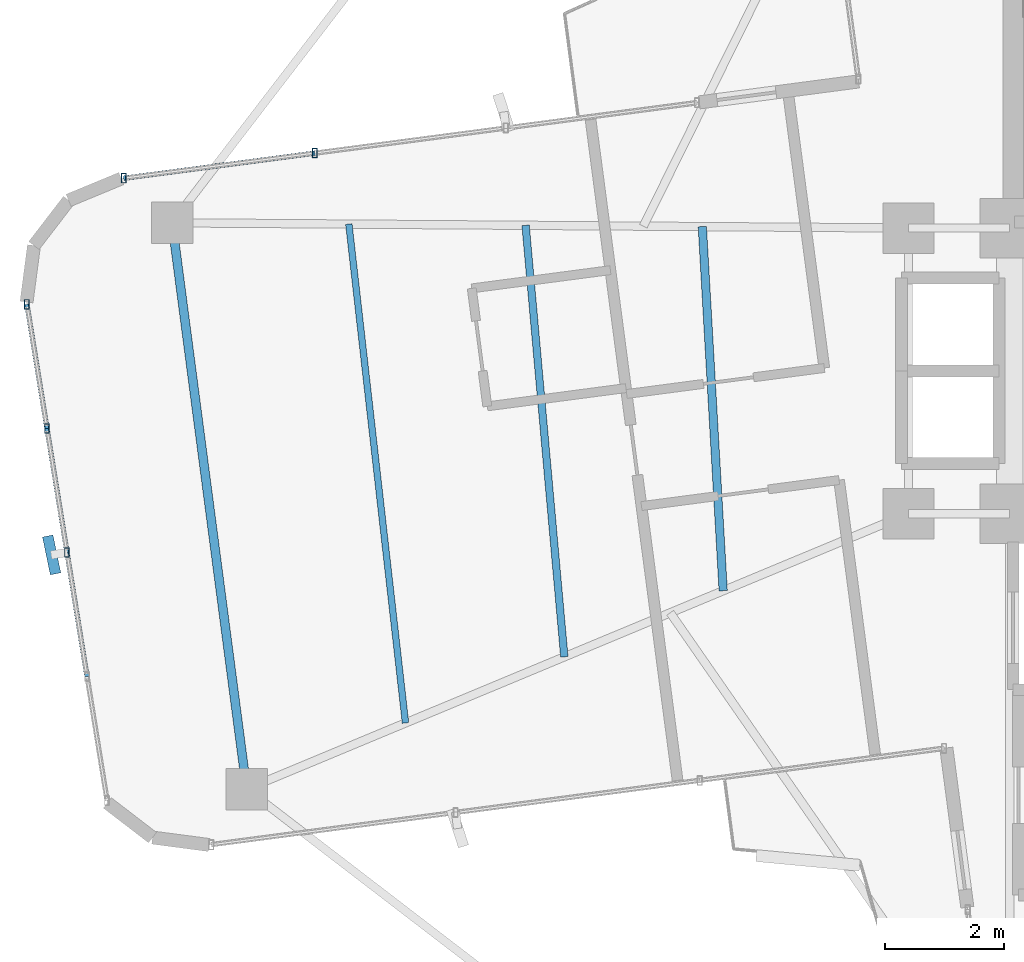
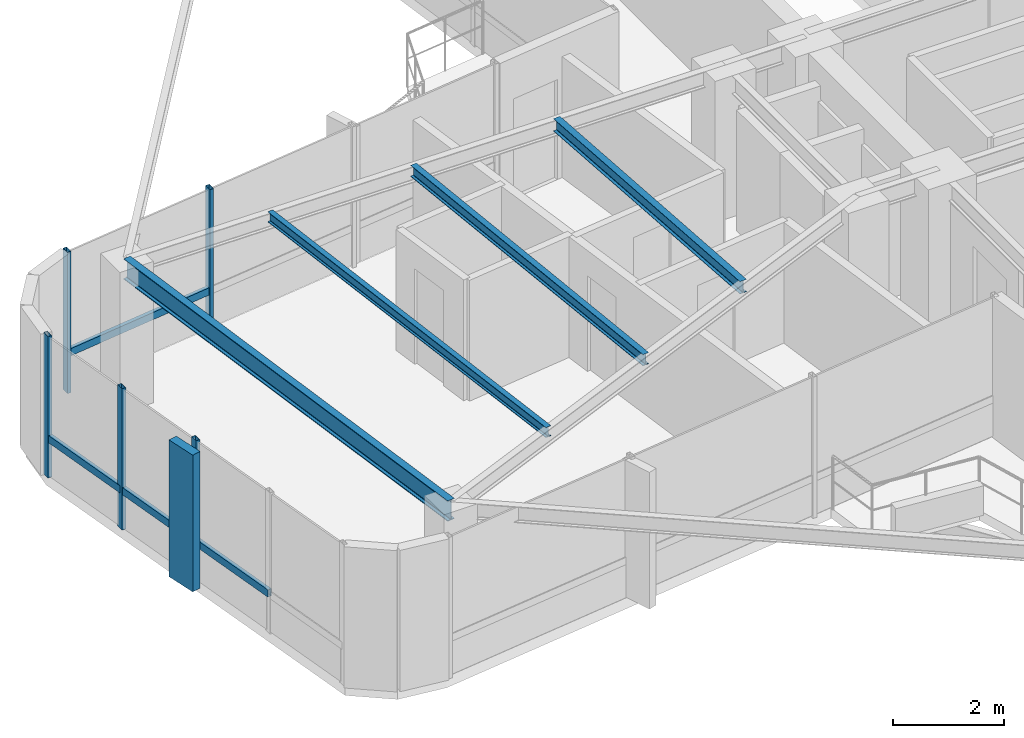
# One storey, part 6 of 21: 10 members, 4 beams, 2 elements without a shape of their own.
"""IFC4 building model written with IfcOpenShell, lengths in metres."""

from ifc_helpers import new_model, si_unit, direction, frame, origin, origin_2d, place, context, subcontext, project, spatial, rectangle, hollow_rectangle, i_section, extrude, source, transform, mapped, material, material_profile, profile_set, type_object, element, aggregate, save


model = new_model("IFC4")

# Units and contexts
model_context = context("Model", 3, precision=1e-05, world=origin(), true_north=direction((0.0, 1.0)))
body_context = subcontext(model_context, "Body", "Model", "MODEL_VIEW")
ifc_project = project(units=[si_unit("LENGTHUNIT", "METRE"), si_unit("AREAUNIT", "SQUARE_METRE"), si_unit("VOLUMEUNIT", "CUBIC_METRE"), si_unit("PLANEANGLEUNIT", "RADIAN"), si_unit("MASSUNIT", "GRAM", prefix="KILO")], contexts=[model_context])

# Site, building, storey
site_placement = place(None, origin())
site = spatial("IfcSite", under=ifc_project, at=site_placement, CompositionType="ELEMENT")
building_placement = place(site_placement, origin())
building = spatial("IfcBuilding", under=site, at=building_placement, Name="Sahyath Konkavel Grand Hotel", CompositionType="ELEMENT")
storey_placement = place(building_placement, frame((0.0, 0.0, 216.550048828125)))
storey = spatial("IfcBuildingStorey", under=building, at=storey_placement, Name="L60", CompositionType="ELEMENT", Elevation=216.550048828125)

# Beams
ifc_material_1 = material(Name="Steel E350", Category="steel")
ifc_material_profile_1 = material_profile(ifc_material_1, i_section(OverallWidth=0.14990234375, OverallDepth=0.449951171875, WebThickness=0.009521484375, FlangeThickness=0.017333984375, FilletRadius=0.014892578125, at=origin_2d()), Name="ISMB 450")
ifc_profile_set_1 = profile_set([ifc_material_profile_1], Name="Steel E350")
beam_type_1 = type_object("IfcBeamType", Name="BM-ISMB450", PredefinedType="BEAM", material=ifc_profile_set_1)
shared_shape_1 = source(origin(), body_context, "Body", "SweptSolid", [
    extrude(i_section(OverallWidth=0.14990234375, OverallDepth=0.449951171875, WebThickness=0.009521484375, FlangeThickness=0.017333984375, FilletRadius=0.014892578125, at=origin_2d()), origin(), (0.0, 0.0, 1.0), 9.599853515625),
])
beam_1_placement = place(storey_placement, frame((-17.877685546875, 2.48779296875, 2.885009765625), z_axis=(0.130539375757, -0.991443125639, 0.0), x_axis=(0.991443125639, 0.130539375757, 0.0)))
element("IfcBeam", 1, at=beam_1_placement, inside=storey, type_object=beam_type_1, Name="L60 Wing Tip Edge Beam W", PredefinedType="BEAM", context=body_context, shape_type="MappedRepresentation", body=[
    mapped(shared_shape_1, transform((0.0, 0.0, 0.0), scale=1.0)),
])
ifc_material_profile_2 = material_profile(ifc_material_1, i_section(OverallWidth=0.139892578125, OverallDepth=0.27490234375, WebThickness=0.00634765625, FlangeThickness=0.0087890625, FilletRadius=0.012939453125, at=origin_2d()), Name="ISLB 275")
ifc_profile_set_2 = profile_set([ifc_material_profile_2], Name="Steel E350")
beam_type_2 = type_object("IfcBeamType", Name="BM-ISLB275", PredefinedType="BEAM", material=ifc_profile_set_2)
shared_shape_2 = source(origin(), body_context, "Body", "SweptSolid", [
    extrude(i_section(OverallWidth=0.139892578125, OverallDepth=0.27490234375, WebThickness=0.00634765625, FlangeThickness=0.0087890625, FilletRadius=0.012939453125, at=origin_2d()), origin(), (0.0, 0.0, 1.0), 6.130859375),
])
beam_2_placement = place(storey_placement, frame((-8.9658203125, 2.424560546875, 2.972412109375), z_axis=(0.057223299361, -0.998361404508, 0.0), x_axis=(0.998361404508, 0.057223299361, 0.0)))
element("IfcBeam", 2, at=beam_2_placement, inside=storey, type_object=beam_type_2, Name="L60 Secondary Floor Beam W-1", PredefinedType="BEAM", context=body_context, shape_type="MappedRepresentation", body=[
    mapped(shared_shape_2, transform((0.0, 0.0, 0.0), scale=1.0)),
])
ifc_material_profile_3 = material_profile(ifc_material_1, i_section(OverallWidth=0.125, OverallDepth=0.25, WebThickness=0.0068359375, FlangeThickness=0.012451171875, FilletRadius=0.012939453125, at=origin_2d()), Name="ISMB 250")
ifc_profile_set_3 = profile_set([ifc_material_profile_3], Name="Steel E350")
beam_type_3 = type_object("IfcBeamType", Name="BM-ISMB250", PredefinedType="BEAM", material=ifc_profile_set_3)
shared_shape_3 = source(origin(), body_context, "Body", "SweptSolid", [
    extrude(i_section(OverallWidth=0.125, OverallDepth=0.25, WebThickness=0.0068359375, FlangeThickness=0.012451171875, FilletRadius=0.012939453125, at=origin_2d()), origin(), (0.0, 0.0, 1.0), 7.28271484375),
])
beam_3_placement = place(storey_placement, frame((-11.936279296875, 2.44580078125, 2.98486328125), z_axis=(0.08944149657, -0.995992077625, 0.0), x_axis=(0.995992077625, 0.08944149657, 0.0)))
element("IfcBeam", 3, at=beam_3_placement, inside=storey, type_object=beam_type_3, Name="L60 Secondary Floor Beam W-2", PredefinedType="BEAM", context=body_context, shape_type="MappedRepresentation", body=[
    mapped(shared_shape_3, transform((0.0, 0.0, 0.0), scale=1.0)),
])
ifc_material_profile_4 = material_profile(ifc_material_1, i_section(OverallWidth=0.110107421875, OverallDepth=0.22509765625, WebThickness=0.006591796875, FlangeThickness=0.01171875, FilletRadius=0.011962890625, at=origin_2d()), Name="ISMB 225")
ifc_profile_set_4 = profile_set([ifc_material_profile_4], Name="Steel E350")
beam_type_4 = type_object("IfcBeamType", Name="BM-ISMB225", PredefinedType="BEAM", material=ifc_profile_set_4)
shared_shape_4 = source(origin(), body_context, "Body", "SweptSolid", [
    extrude(i_section(OverallWidth=0.110107421875, OverallDepth=0.22509765625, WebThickness=0.006591796875, FlangeThickness=0.01171875, FilletRadius=0.011962890625, at=origin_2d()), origin(), (0.0, 0.0, 1.0), 8.439697265625),
])
beam_4_placement = place(storey_placement, frame((-14.906982421875, 2.466796875, 2.99755859375), z_axis=(0.112847377236, -0.993612333584, 0.0), x_axis=(0.993612333584, 0.112847377236, 0.0)))
element("IfcBeam", 4, at=beam_4_placement, inside=storey, type_object=beam_type_4, Name="L60 Secondary Floor Beam W-3", PredefinedType="BEAM", context=body_context, shape_type="MappedRepresentation", body=[
    mapped(shared_shape_4, transform((0.0, 0.0, 0.0), scale=1.0)),
])

# Curtain wall, members
ifc_material_2 = material(Name="Anodised Bronze Aluminium & Low-E Glazing", Category="aluminium")
curtain_wall_type = type_object("IfcCurtainWallType", Name="CW-ZONE4", PredefinedType="NOTDEFINED", material=ifc_material_2)
curtain_wall_1_placement = place(storey_placement, origin())
curtain_wall_1 = element("IfcCurtainWall", 5, at=curtain_wall_1_placement, inside=storey, type_object=curtain_wall_type, Name="L60 Unitised Curtain Wall F16", PredefinedType="NOTDEFINED")
ifc_material_3 = material(Name="Anodised Bronze Aluminium", Category="aluminium")
ifc_material_profile_5 = material_profile(ifc_material_3, hollow_rectangle(XDim=0.080078125, YDim=0.159912109375, WallThickness=0.006103515625, at=origin_2d()), Name="RHS 160x80x6")
ifc_profile_set_5 = profile_set([ifc_material_profile_5], Name="Anodised Bronze Aluminium")
member_type_1 = type_object("IfcMemberType", Name="CW-MUL-160", PredefinedType="MULLION", material=ifc_profile_set_5)
shared_shape_5 = source(origin(), body_context, "Body", "SweptSolid", [
    extrude(hollow_rectangle(XDim=0.080078125, YDim=0.159912109375, WallThickness=0.006103515625, at=origin_2d()), origin(), (0.0, 0.0, 1.0), 3.10986328125),
])
member_1_placement = place(storey_placement, frame((-15.480224609375, 3.66064453125, 0.0), z_axis=(0.0, 0.0, 1.0), x_axis=(1.0, 0.0, 0.0)))
member_1 = element("IfcMember", 6, at=member_1_placement, type_object=member_type_1, Name="L60 Curtain Wall Mullion F16-2", PredefinedType="MULLION", context=body_context, shape_type="MappedRepresentation", body=[
    mapped(shared_shape_5, transform((0.0, 0.0, 0.0), scale=1.0)),
])
member_2_placement = place(storey_placement, frame((-18.6923828125, 3.23779296875, 0.0), z_axis=(0.0, 0.0, 1.0), x_axis=(1.0, 0.0, 0.0)))
member_2 = element("IfcMember", 7, at=member_2_placement, type_object=member_type_1, Name="L60 Curtain Wall Mullion F16-3", PredefinedType="MULLION", context=body_context, shape_type="MappedRepresentation", body=[
    mapped(shared_shape_5, transform((0.0, 0.0, 0.0), scale=1.0)),
])

curtain_wall_2_placement = place(storey_placement, origin())
curtain_wall_2 = element("IfcCurtainWall", 8, at=curtain_wall_2_placement, inside=storey, type_object=curtain_wall_type, Name="L60 Unitised Curtain Wall F20", PredefinedType="NOTDEFINED")
member_3_placement = place(storey_placement, frame((-20.318603515625, 1.117431640625, 0.0), z_axis=(0.0, 0.0, 1.0), x_axis=(1.0, 0.0, 0.0)))
member_3 = element("IfcMember", 9, at=member_3_placement, type_object=member_type_1, Name="L60 Curtain Wall Mullion F20-0", PredefinedType="MULLION", context=body_context, shape_type="MappedRepresentation", body=[
    mapped(shared_shape_5, transform((0.0, 0.0, 0.0), scale=1.0)),
])
member_4_placement = place(storey_placement, frame((-19.982177734375, -0.9677734375, 0.0), z_axis=(0.0, 0.0, 1.0), x_axis=(1.0, 0.0, 0.0)))
member_4 = element("IfcMember", 10, at=member_4_placement, type_object=member_type_1, Name="L60 Curtain Wall Mullion F20-1", PredefinedType="MULLION", context=body_context, shape_type="MappedRepresentation", body=[
    mapped(shared_shape_5, transform((0.0, 0.0, 0.0), scale=1.0)),
])
member_5_placement = place(storey_placement, frame((-19.6455078125, -3.052734375, 0.0), z_axis=(0.0, 0.0, 1.0), x_axis=(1.0, 0.0, 0.0)))
member_5 = element("IfcMember", 11, at=member_5_placement, type_object=member_type_1, Name="L60 Curtain Wall Mullion F20-2", PredefinedType="MULLION", context=body_context, shape_type="MappedRepresentation", body=[
    mapped(shared_shape_5, transform((0.0, 0.0, 0.0), scale=1.0)),
])
ifc_material_4 = material(Name="Warm Buff Sandstone Cladding on Concrete C50/60", Category="masonry")
ifc_material_profile_6 = material_profile(ifc_material_4, rectangle(XDim=0.179931640625, YDim=0.64990234375, at=origin_2d()), Name="FIN 180x650")
ifc_profile_set_6 = profile_set([ifc_material_profile_6], Name="Warm Buff Sandstone Cladding on Concrete C50/60")
member_type_2 = type_object("IfcMemberType", Name="FIN-SANDSTONE-650", PredefinedType="MULLION", material=ifc_profile_set_6)
shared_shape_6 = source(origin(), body_context, "Body", "SweptSolid", [
    extrude(rectangle(XDim=0.179931640625, YDim=0.64990234375, at=origin_2d()), origin(), (0.0, 0.0, 1.0), 3.010009765625),
])
member_6_placement = place(storey_placement, frame((-19.90234375, -3.09423828125, 0.050048828125), z_axis=(0.0, 0.0, 1.0), x_axis=(0.979258188767, 0.202616385647, 0.0)))
member_6 = element("IfcMember", 12, at=member_6_placement, type_object=member_type_2, Name="L60 Sandstone Vertical Solar Fin FIN F20-2", PredefinedType="MULLION", context=body_context, shape_type="MappedRepresentation", body=[
    mapped(shared_shape_6, transform((0.0, 0.0, 0.0), scale=1.0)),
])

# Member
ifc_material_profile_7 = material_profile(ifc_material_3, hollow_rectangle(XDim=0.080078125, YDim=0.159912109375, WallThickness=0.006103515625, at=origin_2d()), Name="RHS 160x80x6")
ifc_profile_set_7 = profile_set([ifc_material_profile_7], Name="Anodised Bronze Aluminium")
member_type_3 = type_object("IfcMemberType", Name="CW-TRN-160", PredefinedType="USERDEFINED", material=ifc_profile_set_7)
shared_shape_7 = source(origin(), body_context, "Body", "SweptSolid", [
    extrude(hollow_rectangle(XDim=0.080078125, YDim=0.159912109375, WallThickness=0.006103515625, at=origin_2d()), origin(), (0.0, 0.0, 1.0), 3.239990234375),
])
member_7_placement = place(storey_placement, frame((-15.480224609375, 3.66064453125, 0.849853515625), z_axis=(-0.991446342692, -0.130514939997, 0.0), x_axis=(0.130514939997, -0.991446342692, 0.0)))
member_7 = element("IfcMember", 13, at=member_7_placement, type_object=member_type_3, Name="L60 Curtain Wall Transom F16-2-spandrel", ObjectType="TRANSOM", PredefinedType="USERDEFINED", context=body_context, shape_type="MappedRepresentation", body=[
    mapped(shared_shape_7, transform((0.0, 0.0, 0.0), scale=1.0)),
])

aggregate(curtain_wall_1, [member_1, member_2, member_7])

shared_shape_8 = source(origin(), body_context, "Body", "SweptSolid", [
    extrude(hollow_rectangle(XDim=0.080078125, YDim=0.159912109375, WallThickness=0.006103515625, at=origin_2d()), origin(), (0.0, 0.0, 1.0), 2.112060546875),
])
member_8_placement = place(storey_placement, frame((-20.318603515625, 1.117431640625, 0.849853515625), z_axis=(0.159279681841, -0.987233499712, 0.0), x_axis=(0.987233499712, 0.159279681841, 0.0)))
member_8 = element("IfcMember", 14, at=member_8_placement, type_object=member_type_3, Name="L60 Curtain Wall Transom F20-0-spandrel", ObjectType="TRANSOM", PredefinedType="USERDEFINED", context=body_context, shape_type="MappedRepresentation", body=[
    mapped(shared_shape_8, transform((0.0, 0.0, 0.0), scale=1.0)),
])

member_9_placement = place(storey_placement, frame((-19.982177734375, -0.9677734375, 0.849853515625), z_axis=(0.159410523793, -0.98721238085, 0.0), x_axis=(0.98721238085, 0.159410523793, 0.0)))
member_9 = element("IfcMember", 15, at=member_9_placement, type_object=member_type_3, Name="L60 Curtain Wall Transom F20-1-spandrel", ObjectType="TRANSOM", PredefinedType="USERDEFINED", context=body_context, shape_type="MappedRepresentation", body=[
    mapped(shared_shape_8, transform((0.0, 0.0, 0.0), scale=1.0)),
])

member_10_placement = place(storey_placement, frame((-19.6455078125, -3.052734375, 0.849853515625), z_axis=(0.159279681841, -0.987233499712, 0.0), x_axis=(0.987233499712, 0.159279681841, 0.0)))
member_10 = element("IfcMember", 16, at=member_10_placement, type_object=member_type_3, Name="L60 Curtain Wall Transom F20-2-spandrel", ObjectType="TRANSOM", PredefinedType="USERDEFINED", context=body_context, shape_type="MappedRepresentation", body=[
    mapped(shared_shape_8, transform((0.0, 0.0, 0.0), scale=1.0)),
])

aggregate(curtain_wall_2, [member_3, member_4, member_5, member_6, member_8, member_9, member_10])

save(model, "model.ifc")
